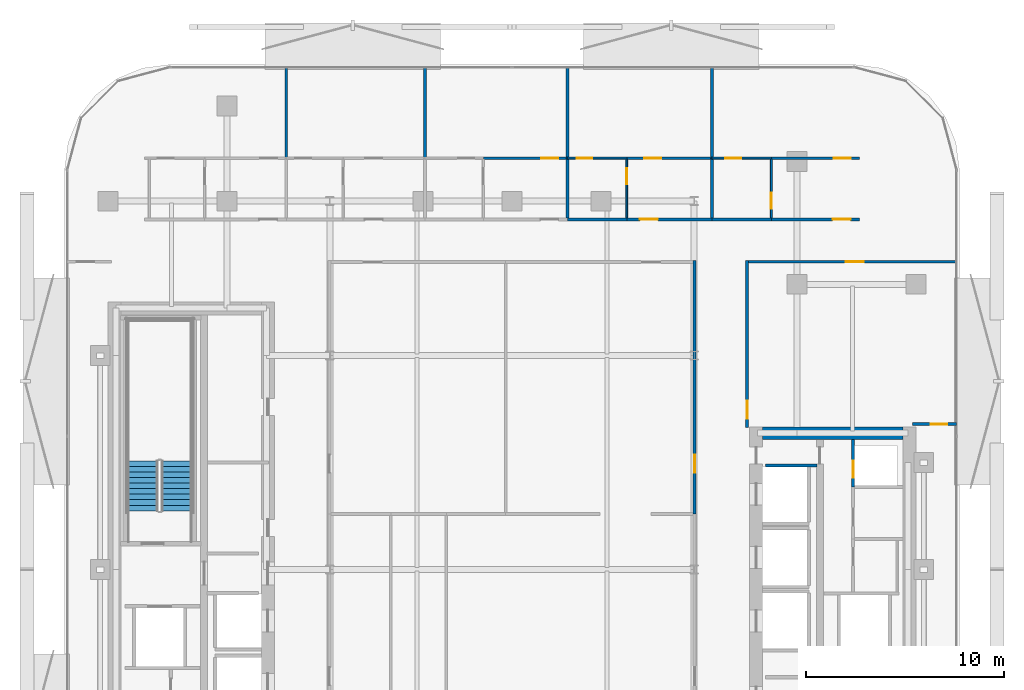
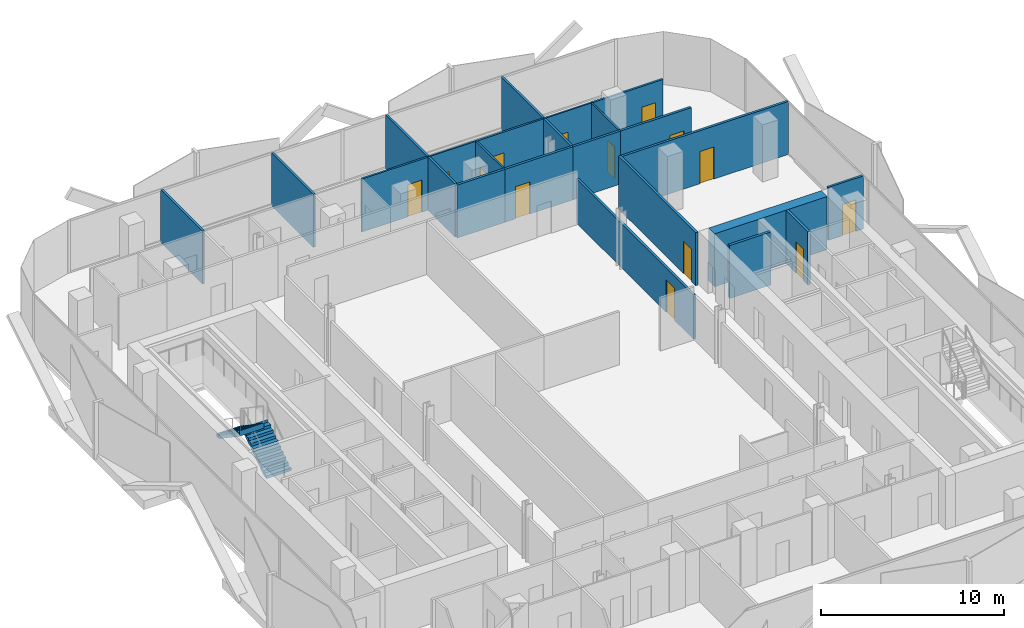
# One storey, part 7 of 17: 24 walls, 14 doors, 2 stair flights, 14 openings, 1 element without a shape of its own.
"""IFC4 building model written with IfcOpenShell, lengths in metres."""

from ifc_helpers import new_model, si_unit, direction, frame, frame_2d, origin, place, context, subcontext, project, spatial, polyline, rectangle, outline, extrude, material, layer, layer_set, type_object, element, fill, aggregate, save


model = new_model("IFC4")

# Units and contexts
model_context = context("Model", 3, precision=1e-05, world=origin(), true_north=direction((0.0, 1.0)))
body_context = subcontext(model_context, "Body", "Model", "MODEL_VIEW")
ifc_project = project(units=[si_unit("LENGTHUNIT", "METRE"), si_unit("AREAUNIT", "SQUARE_METRE"), si_unit("VOLUMEUNIT", "CUBIC_METRE"), si_unit("PLANEANGLEUNIT", "RADIAN"), si_unit("MASSUNIT", "GRAM", prefix="KILO")], contexts=[model_context])

# Site, building, storey
site_placement = place(None, origin())
site = spatial("IfcSite", under=ifc_project, at=site_placement, CompositionType="ELEMENT")
building_placement = place(site_placement, origin())
building = spatial("IfcBuilding", under=site, at=building_placement, Name="Khairoan Windgate Tower", CompositionType="ELEMENT")
storey_placement = place(building_placement, frame((0.0, 0.0, 191.60009765625)))
storey = spatial("IfcBuildingStorey", under=building, at=storey_placement, Name="L44", CompositionType="ELEMENT", Elevation=191.60009765625)

# Wall, opening, door
ifc_material_1 = material(Name="Moisture-Resistant Gypsum Partition", Category="gypsum")
ifc_layer_1 = layer(ifc_material_1, 0.10009765625, Name="Moisture-Resistant Gypsum Partition")
ifc_layer_set_1 = layer_set([ifc_layer_1], Name="Moisture-Resistant Gypsum Partition")
wall_type_1 = type_object("IfcWallType", Name="Bathroom Wet-Area Partition Wall", PredefinedType="PARTITIONING", material=ifc_layer_set_1)
wall_1_placement = place(storey_placement, frame((5.7958984375, 17.7548828125, 0.0), z_axis=(0.0, 0.0, 1.0), x_axis=(0.0, 1.0, 0.0)))
wall_1 = element("IfcWall", 1, at=wall_1_placement, inside=storey, type_object=wall_type_1, Name="L44 Interior Partition 069", PredefinedType="PARTITIONING", context=body_context, shape_type="SweptSolid", body=[
    extrude(rectangle(XDim=2.965087890625, YDim=0.10009765625, at=frame_2d((1.482421875, 0.0))), origin(), (0.0, 0.0, 1.0), 3.539794921875),
])
opening_1_placement = place(wall_1_placement, frame((1.705078125, 0.0, 0.0)))
opening_1 = element("IfcOpeningElement", 2, at=opening_1_placement, cuts=wall_1, Name="Opening ID-BTH", PredefinedType="OPENING", context=body_context, shape_type="SweptSolid", body=[
    extrude(rectangle(XDim=0.800048828125, YDim=2.10009765625, at=frame_2d((0.39990234375, 1.050048828125))), frame((0.0, 0.06005859375, 0.0), z_axis=(0.0, -1.0, 0.0), x_axis=(1.0, 0.0, 0.0)), (0.0, 0.0, 1.0), 0.1201171875),
])
ifc_material_2 = material(Name="Teak Veneer Timber Leaf", Category="wood")
door_type_1 = type_object("IfcDoorType", Name="Internal Bathroom Door ID-BTH 800x2100", OperationType="NOTDEFINED", PredefinedType="DOOR", material=ifc_material_2)
door_1_placement = place(opening_1_placement, origin())
door_1 = element("IfcDoor", 3, at=door_1_placement, inside=storey, type_object=door_type_1, Name="L44 L44-48-L44-49 Door", OperationType="SINGLE_SWING_LEFT", OverallHeight=2.10009765625, OverallWidth=0.800048828125, PredefinedType="DOOR", context=body_context, shape_type="SweptSolid", body=[
    extrude(rectangle(XDim=0.800048828125, YDim=2.10009765625, at=frame_2d((0.39990234375, 1.050048828125))), frame((0.0, 0.02490234375, 0.0), z_axis=(0.0, -1.0, 0.0), x_axis=(1.0, 0.0, 0.0)), (0.0, 0.0, 1.0), 0.050048828125),
])
fill(opening_1, door_1)

wall_2_placement = place(storey_placement, frame((2.800048828125, 20.77001953125, 0.0), z_axis=(0.0, 0.0, 1.0), x_axis=(1.0, 0.0, 0.0)))
wall_2 = element("IfcWall", 4, at=wall_2_placement, inside=storey, type_object=wall_type_1, Name="L44 Interior Partition 070", PredefinedType="PARTITIONING", context=body_context, shape_type="SweptSolid", body=[
    extrude(rectangle(XDim=2.995849609375, YDim=0.10009765625, at=frame_2d((1.498046875, 0.0))), origin(), (0.0, 0.0, 1.0), 3.539794921875),
])
opening_2_placement = place(wall_2_placement, frame((0.4599609375, 0.0, 0.0)))
opening_2 = element("IfcOpeningElement", 5, at=opening_2_placement, cuts=wall_2, Name="Opening ID-BTH", PredefinedType="OPENING", context=body_context, shape_type="SweptSolid", body=[
    extrude(rectangle(XDim=0.800048828125, YDim=2.10009765625, at=frame_2d((0.39990234375, 1.050048828125))), frame((0.0, 0.06005859375, 0.0), z_axis=(0.0, -1.0, 0.0), x_axis=(1.0, 0.0, 0.0)), (0.0, 0.0, 1.0), 0.1201171875),
])
door_2_placement = place(opening_2_placement, origin())
door_2 = element("IfcDoor", 6, at=door_2_placement, inside=storey, type_object=door_type_1, Name="L44 L44-48-L44-50 Door", OperationType="SINGLE_SWING_RIGHT", OverallHeight=2.10009765625, OverallWidth=0.800048828125, PredefinedType="DOOR", context=body_context, shape_type="SweptSolid", body=[
    extrude(rectangle(XDim=0.800048828125, YDim=2.10009765625, at=frame_2d((0.39990234375, 1.050048828125))), frame((0.0, 0.02490234375, 0.0), z_axis=(0.0, -1.0, 0.0), x_axis=(1.0, 0.0, 0.0)), (0.0, 0.0, 1.0), 0.050048828125),
])
fill(opening_2, door_2)

wall_3_placement = place(storey_placement, frame((13.095947265625, 17.7548828125, 0.0), z_axis=(0.0, 0.0, 1.0), x_axis=(0.0, 1.0, 0.0)))
wall_3 = element("IfcWall", 7, at=wall_3_placement, inside=storey, type_object=wall_type_1, Name="L44 Interior Partition 074", PredefinedType="PARTITIONING", context=body_context, shape_type="SweptSolid", body=[
    extrude(rectangle(XDim=2.965087890625, YDim=0.10009765625, at=frame_2d((1.482421875, 0.0))), origin(), (0.0, 0.0, 1.0), 3.539794921875),
])
opening_3_placement = place(wall_3_placement, frame((0.4599609375, 0.0, 0.0)))
opening_3 = element("IfcOpeningElement", 8, at=opening_3_placement, cuts=wall_3, Name="Opening ID-BTH", PredefinedType="OPENING", context=body_context, shape_type="SweptSolid", body=[
    extrude(rectangle(XDim=0.800048828125, YDim=2.10009765625, at=frame_2d((0.39990234375, 1.050048828125))), frame((0.0, 0.06005859375, 0.0), z_axis=(0.0, -1.0, 0.0), x_axis=(1.0, 0.0, 0.0)), (0.0, 0.0, 1.0), 0.1201171875),
])
door_3_placement = place(opening_3_placement, origin())
door_3 = element("IfcDoor", 9, at=door_3_placement, inside=storey, type_object=door_type_1, Name="L44 L44-51-L44-52 Door", OperationType="SINGLE_SWING_RIGHT", OverallHeight=2.10009765625, OverallWidth=0.800048828125, PredefinedType="DOOR", context=body_context, shape_type="SweptSolid", body=[
    extrude(rectangle(XDim=0.800048828125, YDim=2.10009765625, at=frame_2d((0.39990234375, 1.050048828125))), frame((0.0, 0.02490234375, 0.0), z_axis=(0.0, -1.0, 0.0), x_axis=(1.0, 0.0, 0.0)), (0.0, 0.0, 1.0), 0.050048828125),
])
fill(opening_3, door_3)

wall_4_placement = place(storey_placement, frame((10.10009765625, 20.77001953125, 0.0), z_axis=(0.0, 0.0, 1.0), x_axis=(1.0, 0.0, 0.0)))
wall_4 = element("IfcWall", 10, at=wall_4_placement, inside=storey, type_object=wall_type_1, Name="L44 Interior Partition 075", PredefinedType="PARTITIONING", context=body_context, shape_type="SweptSolid", body=[
    extrude(rectangle(XDim=2.995849609375, YDim=0.10009765625, at=frame_2d((1.498046875, 0.0))), origin(), (0.0, 0.0, 1.0), 3.539794921875),
])
opening_4_placement = place(wall_4_placement, frame((0.672607421875, 0.0, 0.0)))
opening_4 = element("IfcOpeningElement", 11, at=opening_4_placement, cuts=wall_4, Name="Opening ID-BTH", PredefinedType="OPENING", context=body_context, shape_type="SweptSolid", body=[
    extrude(rectangle(XDim=0.800048828125, YDim=2.10009765625, at=frame_2d((0.39990234375, 1.050048828125))), frame((0.0, 0.06005859375, 0.0), z_axis=(0.0, -1.0, 0.0), x_axis=(1.0, 0.0, 0.0)), (0.0, 0.0, 1.0), 0.1201171875),
])
door_4_placement = place(opening_4_placement, origin())
door_4 = element("IfcDoor", 12, at=door_4_placement, inside=storey, type_object=door_type_1, Name="L44 L44-51-L44-53 Door", OperationType="SINGLE_SWING_LEFT", OverallHeight=2.10009765625, OverallWidth=0.800048828125, PredefinedType="DOOR", context=body_context, shape_type="SweptSolid", body=[
    extrude(rectangle(XDim=0.800048828125, YDim=2.10009765625, at=frame_2d((0.39990234375, 1.050048828125))), frame((0.0, 0.02490234375, 0.0), z_axis=(0.0, -1.0, 0.0), x_axis=(1.0, 0.0, 0.0)), (0.0, 0.0, 1.0), 0.050048828125),
])
fill(opening_4, door_4)

# Walls
ifc_material_3 = material(Name="Concrete C40/50", Category="concrete")
ifc_layer_2 = layer(ifc_material_3, 0.159912109375, Name="Concrete C40/50")
ifc_layer_set_2 = layer_set([ifc_layer_2], Name="Concrete C40/50")
wall_type_2 = type_object("IfcWallType", Name="Core and Hoistway Enclosure Wall", PredefinedType="STANDARD", material=ifc_layer_set_2)
wall_5_placement = place(storey_placement, frame((12.800048828125, 5.25, 0.0), z_axis=(0.0, 0.0, 1.0), x_axis=(1.0, 0.0, 0.0)))
element("IfcWall", 13, at=wall_5_placement, inside=storey, type_object=wall_type_2, Name="L44 Core Shaft Wall SW-ESV-L44", PredefinedType="STANDARD", context=body_context, shape_type="SweptSolid", body=[
    extrude(rectangle(XDim=2.599853515625, YDim=0.159912109375, at=frame_2d((1.2998046875, 0.0))), origin(), (0.0, 0.0, 1.0), 3.539794921875),
])
ifc_material_4 = material(Name="Acoustic Fire-Rated Gypsum Partition", Category="gypsum")
ifc_layer_3 = layer(ifc_material_4, 0.139892578125, Name="Acoustic Fire-Rated Gypsum Partition")
ifc_layer_set_3 = layer_set([ifc_layer_3], Name="Acoustic Fire-Rated Gypsum Partition")
wall_type_3 = type_object("IfcWallType", Name="Inter-Tenancy Compartment Wall", PredefinedType="PARTITIONING", material=ifc_layer_set_3)
for number, where, z_axis, x_axis, name in (
    (14, (-11.39990234375, 20.77001953125, 0.0), (0.0, 0.0, 1.0), (0.0, 1.0, 0.0), "L44 Interior Partition 058"),
    (15, (-4.39990234375, 20.77001953125, 0.0), (0.0, 0.0, 1.0), (0.0, 1.0, 0.0), "L44 Interior Partition 063"),
):
    element("IfcWall", number, at=place(storey_placement, frame(where, z_axis=z_axis, x_axis=x_axis)), inside=storey, type_object=wall_type_3, Name=name, PredefinedType="PARTITIONING", context=body_context, shape_type="SweptSolid", body=[
        extrude(rectangle(XDim=4.5849609375, YDim=0.139892578125, at=frame_2d((2.29248046875, 0.0))), origin(), (0.0, 0.0, 1.0), 3.539794921875),
    ])
wall_6_placement = place(storey_placement, frame((2.800048828125, 17.7548828125, 0.0), z_axis=(0.0, 0.0, 1.0), x_axis=(0.0, 1.0, 0.0)))
element("IfcWall", 16, at=wall_6_placement, inside=storey, type_object=wall_type_3, Name="L44 Interior Partition 067", PredefinedType="PARTITIONING", context=body_context, shape_type="SweptSolid", body=[
    extrude(rectangle(XDim=3.01513671875, YDim=0.139892578125, at=frame_2d((1.507568359375, 0.0))), origin(), (0.0, 0.0, 1.0), 3.539794921875),
])
wall_7_placement = place(storey_placement, frame((2.800048828125, 20.77001953125, 0.0), z_axis=(0.0, 0.0, 1.0), x_axis=(0.0, 1.0, 0.0)))
element("IfcWall", 17, at=wall_7_placement, inside=storey, type_object=wall_type_3, Name="L44 Interior Partition 068", PredefinedType="PARTITIONING", context=body_context, shape_type="SweptSolid", body=[
    extrude(rectangle(XDim=4.5849609375, YDim=0.139892578125, at=frame_2d((2.29248046875, 0.0))), origin(), (0.0, 0.0, 1.0), 3.539794921875),
])
wall_8_placement = place(storey_placement, frame((10.10009765625, 17.7548828125, 0.0), z_axis=(0.0, 0.0, 1.0), x_axis=(0.0, 1.0, 0.0)))
element("IfcWall", 18, at=wall_8_placement, inside=storey, type_object=wall_type_3, Name="L44 Interior Partition 072", PredefinedType="PARTITIONING", context=body_context, shape_type="SweptSolid", body=[
    extrude(rectangle(XDim=3.01513671875, YDim=0.139892578125, at=frame_2d((1.507568359375, 0.0))), origin(), (0.0, 0.0, 1.0), 3.539794921875),
])
wall_9_placement = place(storey_placement, frame((10.10009765625, 20.77001953125, 0.0), z_axis=(0.0, 0.0, 1.0), x_axis=(0.0, 1.0, 0.0)))
element("IfcWall", 19, at=wall_9_placement, inside=storey, type_object=wall_type_3, Name="L44 Interior Partition 073", PredefinedType="PARTITIONING", context=body_context, shape_type="SweptSolid", body=[
    extrude(rectangle(XDim=4.5849609375, YDim=0.139892578125, at=frame_2d((2.29248046875, 0.0))), origin(), (0.0, 0.0, 1.0), 3.539794921875),
])

# Wall, opening, door
wall_10_placement = place(storey_placement, frame((20.239990234375, 7.340087890625, 0.0), z_axis=(0.0, 0.0, 1.0), x_axis=(1.0, 0.0, 0.0)))
wall_10 = element("IfcWall", 20, at=wall_10_placement, inside=storey, type_object=wall_type_3, Name="L44 Interior Partition 095", PredefinedType="PARTITIONING", context=body_context, shape_type="SweptSolid", body=[
    extrude(rectangle(XDim=2.215087890625, YDim=0.139892578125, at=frame_2d((1.107421875, 0.0))), origin(), (0.0, 0.0, 1.0), 3.539794921875),
])
opening_5_placement = place(wall_10_placement, frame((0.905029296875, 0.0, 0.0)))
opening_5 = element("IfcOpeningElement", 21, at=opening_5_placement, cuts=wall_10, Name="Opening FD-SRV", PredefinedType="OPENING", context=body_context, shape_type="SweptSolid", body=[
    extrude(rectangle(XDim=0.85009765625, YDim=2.10009765625, at=frame_2d((0.425048828125, 1.050048828125))), frame((0.0, 0.079833984375, 0.0), z_axis=(0.0, -1.0, 0.0), x_axis=(1.0, 0.0, 0.0)), (0.0, 0.0, 1.0), 0.159912109375),
])
ifc_material_5 = material(Name="Steel S355", Category="steel")
door_type_2 = type_object("IfcDoorType", Name="Core Service and Riser Fire Door FD-SRV 850x2100", OperationType="NOTDEFINED", PredefinedType="DOOR", material=ifc_material_5)
door_5_placement = place(opening_5_placement, origin())
door_5 = element("IfcDoor", 22, at=door_5_placement, inside=storey, type_object=door_type_2, Name="L44 L44-66-L44-68 Door", OperationType="SINGLE_SWING_LEFT", OverallHeight=2.10009765625, OverallWidth=0.85009765625, PredefinedType="DOOR", context=body_context, shape_type="SweptSolid", body=[
    extrude(rectangle(XDim=0.85009765625, YDim=2.10009765625, at=frame_2d((0.425048828125, 1.050048828125))), frame((0.0, 0.02490234375, 0.0), z_axis=(0.0, -1.0, 0.0), x_axis=(1.0, 0.0, 0.0)), (0.0, 0.0, 1.0), 0.050048828125),
])
fill(opening_5, door_5)

ifc_material_6 = material(Name="Gypsum Stud Partition", Category="gypsum")
ifc_layer_4 = layer(ifc_material_6, 0.1201171875, Name="Gypsum Stud Partition")
ifc_layer_set_4 = layer_set([ifc_layer_4], Name="Gypsum Stud Partition")
wall_type_4 = type_object("IfcWallType", Name="Internal Room Partition Wall", PredefinedType="PARTITIONING", material=ifc_layer_set_4)
wall_11_placement = place(storey_placement, frame((-1.444091796875, 20.77001953125, 0.0), z_axis=(0.0, 0.0, 1.0), x_axis=(1.0, 0.0, 0.0)))
wall_11 = element("IfcWall", 23, at=wall_11_placement, inside=storey, type_object=wall_type_4, Name="L44 Interior Partition 066", PredefinedType="PARTITIONING", context=body_context, shape_type="SweptSolid", body=[
    extrude(rectangle(XDim=4.244140625, YDim=0.1201171875, at=frame_2d((2.1220703125, 0.0))), origin(), (0.0, 0.0, 1.0), 3.539794921875),
])
opening_6_placement = place(wall_11_placement, frame((2.924072265625, 0.0, 0.0)))
opening_6 = element("IfcOpeningElement", 24, at=opening_6_placement, cuts=wall_11, Name="Opening ID-RM", PredefinedType="OPENING", context=body_context, shape_type="SweptSolid", body=[
    extrude(rectangle(XDim=0.860107421875, YDim=2.14990234375, at=frame_2d((0.43017578125, 1.074951171875))), frame((0.0, 0.070068359375, 0.0), z_axis=(0.0, -1.0, 0.0), x_axis=(1.0, 0.0, 0.0)), (0.0, 0.0, 1.0), 0.14013671875),
])
ifc_material_7 = material(Name="Teak Veneer Timber Leaf", Category="wood")
door_type_3 = type_object("IfcDoorType", Name="Internal Bedroom and Office Door ID-RM 860x2150", OperationType="NOTDEFINED", PredefinedType="DOOR", material=ifc_material_7)
door_6_placement = place(opening_6_placement, origin())
door_6 = element("IfcDoor", 25, at=door_6_placement, inside=storey, type_object=door_type_3, Name="L44 L44-46-L44-47 Door", OperationType="SINGLE_SWING_RIGHT", OverallHeight=2.14990234375, OverallWidth=0.860107421875, PredefinedType="DOOR", context=body_context, shape_type="SweptSolid", body=[
    extrude(rectangle(XDim=0.860107421875, YDim=2.14990234375, at=frame_2d((0.43017578125, 1.074951171875))), frame((0.0, 0.02490234375, 0.0), z_axis=(0.0, -1.0, 0.0), x_axis=(1.0, 0.0, 0.0)), (0.0, 0.0, 1.0), 0.050048828125),
])
fill(opening_6, door_6)

wall_12_placement = place(storey_placement, frame((5.7958984375, 20.77001953125, 0.0), z_axis=(0.0, 0.0, 1.0), x_axis=(1.0, 0.0, 0.0)))
wall_12 = element("IfcWall", 26, at=wall_12_placement, inside=storey, type_object=wall_type_4, Name="L44 Interior Partition 071", PredefinedType="PARTITIONING", context=body_context, shape_type="SweptSolid", body=[
    extrude(rectangle(XDim=4.30419921875, YDim=0.1201171875, at=frame_2d((2.152099609375, 0.0))), origin(), (0.0, 0.0, 1.0), 3.539794921875),
])
opening_7_placement = place(wall_12_placement, frame((0.880615234375, 0.0, 0.0)))
opening_7 = element("IfcOpeningElement", 27, at=opening_7_placement, cuts=wall_12, Name="Opening ID-RM", PredefinedType="OPENING", context=body_context, shape_type="SweptSolid", body=[
    extrude(rectangle(XDim=0.860107421875, YDim=2.14990234375, at=frame_2d((0.43017578125, 1.074951171875))), frame((0.0, 0.070068359375, 0.0), z_axis=(0.0, -1.0, 0.0), x_axis=(1.0, 0.0, 0.0)), (0.0, 0.0, 1.0), 0.14013671875),
])
door_7_placement = place(opening_7_placement, origin())
door_7 = element("IfcDoor", 28, at=door_7_placement, inside=storey, type_object=door_type_3, Name="L44 L44-49-L44-50 Door", OperationType="SINGLE_SWING_LEFT", OverallHeight=2.14990234375, OverallWidth=0.860107421875, PredefinedType="DOOR", context=body_context, shape_type="SweptSolid", body=[
    extrude(rectangle(XDim=0.860107421875, YDim=2.14990234375, at=frame_2d((0.43017578125, 1.074951171875))), frame((0.0, 0.02490234375, 0.0), z_axis=(0.0, -1.0, 0.0), x_axis=(1.0, 0.0, 0.0)), (0.0, 0.0, 1.0), 0.050048828125),
])
fill(opening_7, door_7)

wall_13_placement = place(storey_placement, frame((13.095947265625, 20.77001953125, 0.0), z_axis=(0.0, 0.0, 1.0), x_axis=(1.0, 0.0, 0.0)))
wall_13 = element("IfcWall", 29, at=wall_13_placement, inside=storey, type_object=wall_type_4, Name="L44 Interior Partition 076", PredefinedType="PARTITIONING", context=body_context, shape_type="SweptSolid", body=[
    extrude(rectangle(XDim=4.464111328125, YDim=0.1201171875, at=frame_2d((2.23193359375, 0.0))), origin(), (0.0, 0.0, 1.0), 3.539794921875),
])
opening_8_placement = place(wall_13_placement, frame((3.14404296875, 0.0, 0.0)))
opening_8 = element("IfcOpeningElement", 30, at=opening_8_placement, cuts=wall_13, Name="Opening ID-RM", PredefinedType="OPENING", context=body_context, shape_type="SweptSolid", body=[
    extrude(rectangle(XDim=0.860107421875, YDim=2.14990234375, at=frame_2d((0.43017578125, 1.074951171875))), frame((0.0, 0.070068359375, 0.0), z_axis=(0.0, -1.0, 0.0), x_axis=(1.0, 0.0, 0.0)), (0.0, 0.0, 1.0), 0.14013671875),
])
door_8_placement = place(opening_8_placement, origin())
door_8 = element("IfcDoor", 31, at=door_8_placement, inside=storey, type_object=door_type_3, Name="L44 L44-52-L44-53 Door", OperationType="SINGLE_SWING_RIGHT", OverallHeight=2.14990234375, OverallWidth=0.860107421875, PredefinedType="DOOR", context=body_context, shape_type="SweptSolid", body=[
    extrude(rectangle(XDim=0.860107421875, YDim=2.14990234375, at=frame_2d((0.43017578125, 1.074951171875))), frame((0.0, 0.02490234375, 0.0), z_axis=(0.0, -1.0, 0.0), x_axis=(1.0, 0.0, 0.0)), (0.0, 0.0, 1.0), 0.050048828125),
])
fill(opening_8, door_8)

ifc_material_8 = material(Name="Concrete C40/50", Category="concrete")
ifc_layer_5 = layer(ifc_material_8, 0.159912109375, Name="Concrete C40/50")
ifc_layer_set_5 = layer_set([ifc_layer_5], Name="Concrete C40/50")
wall_type_5 = type_object("IfcWallType", Name="Plant and Refuge Compartment Wall", PredefinedType="PARTITIONING", material=ifc_layer_set_5)
wall_14_placement = place(storey_placement, frame((17.22998046875, 4.169921875, 0.0), z_axis=(0.0, 0.0, 1.0), x_axis=(0.0, 1.0, 0.0)))
wall_14 = element("IfcWall", 32, at=wall_14_placement, inside=storey, type_object=wall_type_5, Name="L44 Interior Partition 005", PredefinedType="PARTITIONING", context=body_context, shape_type="SweptSolid", body=[
    extrude(rectangle(XDim=2.380126953125, YDim=0.159912109375, at=frame_2d((1.18994140625, 0.0))), origin(), (0.0, 0.0, 1.0), 3.539794921875),
])
opening_9_placement = place(wall_14_placement, frame((0.4599609375, 0.0, 0.0)))
opening_9 = element("IfcOpeningElement", 33, at=opening_9_placement, cuts=wall_14, Name="Opening FD-SRV", PredefinedType="OPENING", context=body_context, shape_type="SweptSolid", body=[
    extrude(rectangle(XDim=0.85009765625, YDim=2.10009765625, at=frame_2d((0.425048828125, 1.050048828125))), frame((0.0, 0.08984375, 0.0), z_axis=(0.0, -1.0, 0.0), x_axis=(1.0, 0.0, 0.0)), (0.0, 0.0, 1.0), 0.179931640625),
])
door_9_placement = place(opening_9_placement, origin())
door_9 = element("IfcDoor", 34, at=door_9_placement, inside=storey, type_object=door_type_2, Name="L44 L44-17-L44-18 Door", OperationType="SINGLE_SWING_LEFT", OverallHeight=2.10009765625, OverallWidth=0.85009765625, PredefinedType="DOOR", context=body_context, shape_type="SweptSolid", body=[
    extrude(rectangle(XDim=0.85009765625, YDim=2.10009765625, at=frame_2d((0.425048828125, 1.050048828125))), frame((0.0, 0.02490234375, 0.0), z_axis=(0.0, -1.0, 0.0), x_axis=(1.0, 0.0, 0.0)), (0.0, 0.0, 1.0), 0.050048828125),
])
fill(opening_9, door_9)

ifc_material_9 = material(Name="Acoustic Fire-Rated Gypsum Partition", Category="gypsum")
ifc_layer_6 = layer(ifc_material_9, 0.14990234375, Name="Acoustic Fire-Rated Gypsum Partition")
ifc_layer_set_6 = layer_set([ifc_layer_6], Name="Acoustic Fire-Rated Gypsum Partition")
wall_type_6 = type_object("IfcWallType", Name="Rated Corridor Partition Wall", PredefinedType="PARTITIONING", material=ifc_layer_set_6)
wall_15_placement = place(storey_placement, frame((9.219970703125, 2.800048828125, 0.0), z_axis=(0.0, 0.0, 1.0), x_axis=(0.0, 1.0, 0.0)))
wall_15 = element("IfcWall", 35, at=wall_15_placement, inside=storey, type_object=wall_type_6, Name="L44 Interior Partition 014", PredefinedType="PARTITIONING", context=body_context, shape_type="SweptSolid", body=[
    extrude(rectangle(XDim=12.794921875, YDim=0.14990234375, at=frame_2d((6.3974609375, 0.0))), origin(), (0.0, 0.0, 1.0), 2.951904296875),
])
opening_10_placement = place(wall_15_placement, frame((2.0859375, 0.0, 0.0)))
opening_10 = element("IfcOpeningElement", 36, at=opening_10_placement, cuts=wall_15, Name="Opening FD-ENT", PredefinedType="OPENING", context=body_context, shape_type="SweptSolid", body=[
    extrude(rectangle(XDim=0.89990234375, YDim=2.14990234375, at=frame_2d((0.449951171875, 1.074951171875))), frame((0.0, 0.0849609375, 0.0), z_axis=(0.0, -1.0, 0.0), x_axis=(1.0, 0.0, 0.0)), (0.0, 0.0, 1.0), 0.169921875),
])
ifc_material_10 = material(Name="Timber Fire-Rated Core", Category="wood")
door_type_4 = type_object("IfcDoorType", Name="Unit and Office Fire Entrance Door FD-ENT 900x2150", OperationType="NOTDEFINED", PredefinedType="DOOR", material=ifc_material_10)
door_10_placement = place(opening_10_placement, origin())
door_10 = element("IfcDoor", 37, at=door_10_placement, inside=storey, type_object=door_type_4, Name="L44 L44-29-L44-38 Door", OperationType="SINGLE_SWING_LEFT", OverallHeight=2.14990234375, OverallWidth=0.89990234375, PredefinedType="DOOR", context=body_context, shape_type="SweptSolid", body=[
    extrude(rectangle(XDim=0.89990234375, YDim=2.14990234375, at=frame_2d((0.449951171875, 1.074951171875))), frame((0.0, 0.02490234375, 0.0), z_axis=(0.0, -1.0, 0.0), x_axis=(1.0, 0.0, 0.0)), (0.0, 0.0, 1.0), 0.050048828125),
])
fill(opening_10, door_10)

wall_16_placement = place(storey_placement, frame((11.8798828125, 7.159912109375, 0.0), z_axis=(0.0, 0.0, 1.0), x_axis=(0.0, 1.0, 0.0)))
wall_16 = element("IfcWall", 38, at=wall_16_placement, inside=storey, type_object=wall_type_6, Name="L44 Interior Partition 015", PredefinedType="PARTITIONING", context=body_context, shape_type="SweptSolid", body=[
    extrude(rectangle(XDim=8.455078125, YDim=0.14990234375, at=frame_2d((4.2275390625, 0.0))), origin(), (0.0, 0.0, 1.0), 3.539794921875),
])
opening_11_placement = place(wall_16_placement, frame((0.4599609375, 0.0, 0.0)))
opening_11 = element("IfcOpeningElement", 39, at=opening_11_placement, cuts=wall_16, Name="Opening FD-ENT", PredefinedType="OPENING", context=body_context, shape_type="SweptSolid", body=[
    extrude(rectangle(XDim=0.89990234375, YDim=2.14990234375, at=frame_2d((0.449951171875, 1.074951171875))), frame((0.0, 0.0849609375, 0.0), z_axis=(0.0, -1.0, 0.0), x_axis=(1.0, 0.0, 0.0)), (0.0, 0.0, 1.0), 0.169921875),
])
door_11_placement = place(opening_11_placement, origin())
door_11 = element("IfcDoor", 40, at=door_11_placement, inside=storey, type_object=door_type_4, Name="L44 L44-29-L44-66 Door", OperationType="SINGLE_SWING_RIGHT", OverallHeight=2.14990234375, OverallWidth=0.89990234375, PredefinedType="DOOR", context=body_context, shape_type="SweptSolid", body=[
    extrude(rectangle(XDim=0.89990234375, YDim=2.14990234375, at=frame_2d((0.449951171875, 1.074951171875))), frame((0.0, 0.02490234375, 0.0), z_axis=(0.0, -1.0, 0.0), x_axis=(1.0, 0.0, 0.0)), (0.0, 0.0, 1.0), 0.050048828125),
])
fill(opening_11, door_11)

# Wall
wall_17_placement = place(storey_placement, frame((2.800048828125, 17.679931640625, 0.0), z_axis=(0.0, 0.0, 1.0), x_axis=(1.0, 0.0, 0.0)))
element("IfcWall", 41, at=wall_17_placement, inside=storey, type_object=wall_type_6, Name="L44 Interior Partition 024", PredefinedType="PARTITIONING", context=body_context, shape_type="SweptSolid", body=[
    extrude(rectangle(XDim=2.995849609375, YDim=0.14990234375, at=frame_2d((1.498046875, 0.0))), origin(), (0.0, 0.0, 1.0), 3.539794921875),
])

# Wall, opening, door
wall_18_placement = place(storey_placement, frame((5.7958984375, 17.679931640625, 0.0), z_axis=(0.0, 0.0, 1.0), x_axis=(1.0, 0.0, 0.0)))
wall_18 = element("IfcWall", 42, at=wall_18_placement, inside=storey, type_object=wall_type_6, Name="L44 Interior Partition 025", PredefinedType="PARTITIONING", context=body_context, shape_type="SweptSolid", body=[
    extrude(rectangle(XDim=4.30419921875, YDim=0.14990234375, at=frame_2d((2.152099609375, 0.0))), origin(), (0.0, 0.0, 1.0), 3.539794921875),
])
opening_12_placement = place(wall_18_placement, frame((0.6669921875, 0.0, 0.0)))
opening_12 = element("IfcOpeningElement", 43, at=opening_12_placement, cuts=wall_18, Name="Opening FD-ENT", PredefinedType="OPENING", context=body_context, shape_type="SweptSolid", body=[
    extrude(rectangle(XDim=0.89990234375, YDim=2.14990234375, at=frame_2d((0.449951171875, 1.074951171875))), frame((0.0, 0.0849609375, 0.0), z_axis=(0.0, -1.0, 0.0), x_axis=(1.0, 0.0, 0.0)), (0.0, 0.0, 1.0), 0.169921875),
])
door_12_placement = place(opening_12_placement, origin())
door_12 = element("IfcDoor", 44, at=door_12_placement, inside=storey, type_object=door_type_4, Name="L44 L44-30-L44-49 Door", OperationType="SINGLE_SWING_RIGHT", OverallHeight=2.14990234375, OverallWidth=0.89990234375, PredefinedType="DOOR", context=body_context, shape_type="SweptSolid", body=[
    extrude(rectangle(XDim=0.89990234375, YDim=2.14990234375, at=frame_2d((0.449951171875, 1.074951171875))), frame((0.0, 0.02490234375, 0.0), z_axis=(0.0, -1.0, 0.0), x_axis=(1.0, 0.0, 0.0)), (0.0, 0.0, 1.0), 0.050048828125),
])
fill(opening_12, door_12)

# Wall
wall_19_placement = place(storey_placement, frame((10.10009765625, 17.679931640625, 0.0), z_axis=(0.0, 0.0, 1.0), x_axis=(1.0, 0.0, 0.0)))
element("IfcWall", 45, at=wall_19_placement, inside=storey, type_object=wall_type_6, Name="L44 Interior Partition 026", PredefinedType="PARTITIONING", context=body_context, shape_type="SweptSolid", body=[
    extrude(rectangle(XDim=2.995849609375, YDim=0.14990234375, at=frame_2d((1.498046875, 0.0))), origin(), (0.0, 0.0, 1.0), 3.539794921875),
])

# Wall, opening, door
wall_20_placement = place(storey_placement, frame((13.095947265625, 17.679931640625, 0.0), z_axis=(0.0, 0.0, 1.0), x_axis=(1.0, 0.0, 0.0)))
wall_20 = element("IfcWall", 46, at=wall_20_placement, inside=storey, type_object=wall_type_6, Name="L44 Interior Partition 027", PredefinedType="PARTITIONING", context=body_context, shape_type="SweptSolid", body=[
    extrude(rectangle(XDim=4.464111328125, YDim=0.14990234375, at=frame_2d((2.23193359375, 0.0))), origin(), (0.0, 0.0, 1.0), 3.539794921875),
])
opening_13_placement = place(wall_20_placement, frame((3.10400390625, 0.0, 0.0)))
opening_13 = element("IfcOpeningElement", 47, at=opening_13_placement, cuts=wall_20, Name="Opening FD-ENT", PredefinedType="OPENING", context=body_context, shape_type="SweptSolid", body=[
    extrude(rectangle(XDim=0.89990234375, YDim=2.14990234375, at=frame_2d((0.449951171875, 1.074951171875))), frame((0.0, 0.0849609375, 0.0), z_axis=(0.0, -1.0, 0.0), x_axis=(1.0, 0.0, 0.0)), (0.0, 0.0, 1.0), 0.169921875),
])
door_13_placement = place(opening_13_placement, origin())
door_13 = element("IfcDoor", 48, at=door_13_placement, inside=storey, type_object=door_type_4, Name="L44 L44-30-L44-52 Door", OperationType="SINGLE_SWING_LEFT", OverallHeight=2.14990234375, OverallWidth=0.89990234375, PredefinedType="DOOR", context=body_context, shape_type="SweptSolid", body=[
    extrude(rectangle(XDim=0.89990234375, YDim=2.14990234375, at=frame_2d((0.449951171875, 1.074951171875))), frame((0.0, 0.02490234375, 0.0), z_axis=(0.0, -1.0, 0.0), x_axis=(1.0, 0.0, 0.0)), (0.0, 0.0, 1.0), 0.050048828125),
])
fill(opening_13, door_13)

wall_21_placement = place(storey_placement, frame((11.955078125, 15.5400390625, 0.0), z_axis=(0.0, 0.0, 1.0), x_axis=(1.0, 0.0, 0.0)))
wall_21 = element("IfcWall", 49, at=wall_21_placement, inside=storey, type_object=wall_type_6, Name="L44 Interior Partition 028", PredefinedType="PARTITIONING", context=body_context, shape_type="SweptSolid", body=[
    extrude(rectangle(XDim=10.5, YDim=0.14990234375, at=frame_2d((5.25, 0.0))), origin(), (0.0, 0.0, 1.0), 3.539794921875),
])
opening_14_placement = place(wall_21_placement, frame((4.90087890625, 0.0, 0.0)))
opening_14 = element("IfcOpeningElement", 50, at=opening_14_placement, cuts=wall_21, Name="Opening FD-ENT", PredefinedType="OPENING", context=body_context, shape_type="SweptSolid", body=[
    extrude(rectangle(XDim=0.89990234375, YDim=2.14990234375, at=frame_2d((0.449951171875, 1.074951171875))), frame((0.0, 0.0849609375, 0.0), z_axis=(0.0, -1.0, 0.0), x_axis=(1.0, 0.0, 0.0)), (0.0, 0.0, 1.0), 0.169921875),
])
door_14_placement = place(opening_14_placement, origin())
door_14 = element("IfcDoor", 51, at=door_14_placement, inside=storey, type_object=door_type_4, Name="L44 L44-30-L44-66 Door", OperationType="SINGLE_SWING_RIGHT", OverallHeight=2.14990234375, OverallWidth=0.89990234375, PredefinedType="DOOR", context=body_context, shape_type="SweptSolid", body=[
    extrude(rectangle(XDim=0.89990234375, YDim=2.14990234375, at=frame_2d((0.449951171875, 1.074951171875))), frame((0.0, 0.02490234375, 0.0), z_axis=(0.0, -1.0, 0.0), x_axis=(1.0, 0.0, 0.0)), (0.0, 0.0, 1.0), 0.050048828125),
])
fill(opening_14, door_14)

# Wall
ifc_material_11 = material(Name="Concrete C60/75", Category="concrete")
ifc_layer_7 = layer(ifc_material_11, 0.64990234375, Name="Concrete C60/75")
ifc_layer_set_7 = layer_set([ifc_layer_7], Name="Concrete C60/75")
wall_type_7 = type_object("IfcWallType", Name="Shear Wall CW-E2 650mm", PredefinedType="SHEAR", material=ifc_layer_set_7)
wall_22_placement = place(storey_placement, frame((12.64990234375, 6.875, 0.0), z_axis=(0.0, 0.0, 1.0), x_axis=(1.0, 0.0, 0.0)))
element("IfcWall", 52, at=wall_22_placement, inside=storey, type_object=wall_type_7, Name="E Core North Shear Wall L44", PredefinedType="SHEAR", context=body_context, shape_type="SweptSolid", body=[
    extrude(rectangle(XDim=7.10009765625, YDim=0.64990234375, at=frame_2d((3.550048828125, 0.0))), origin(), (0.0, 0.0, 1.0), 3.539794921875),
])

# Stair, stair flights
ifc_material_12 = material(Name="Concrete C40/50", Category="concrete")
stair_type = type_object("IfcStairType", Name="Tower Core Dog-Leg Stair ST-T1 1560mm", PredefinedType="HALF_TURN_STAIR", material=ifc_material_12)
stair_placement = place(storey_placement, origin())
stair = element("IfcStair", 53, at=stair_placement, inside=storey, type_object=stair_type, Name="L44 Stair ST2", PredefinedType="HALF_TURN_STAIR")
ifc_material_13 = material(Name="Concrete C40/50", Category="concrete")
ifc_layer_8 = layer(ifc_material_13, 0.14990234375, Name="Concrete C40/50")
ifc_layer_set_8 = layer_set([ifc_layer_8], Name="Concrete C40/50")
stair_flight_type = type_object("IfcStairFlightType", Name="Tower Core Stair Flight STF-1560", PredefinedType="STRAIGHT", material=ifc_layer_set_8)
stair_flight_1_placement = place(storey_placement, frame((-16.929931640625, 2.9599609375, 0.0), z_axis=(0.0, 0.0, 1.0), x_axis=(0.0, 1.0, 0.0)))
stair_flight_1 = element("IfcStairFlight", 54, at=stair_flight_1_placement, type_object=stair_flight_type, Name="ST2 flight 1", NumberOfRisers=10, NumberOfTreads=9, PredefinedType="STRAIGHT", RiserHeight=0.19, TreadLength=0.28, context=body_context, shape_type="SweptSolid", body=[
    extrude(outline(polyline([(-0.00390625, 0.0), (-0.00390625, 0.18994140625), (0.0, 0.18994140625), (0.280029296875, 0.18994140625), (0.280029296875, 0.3798828125), (0.56005859375, 0.3798828125), (0.56005859375, 0.570068359375), (0.840087890625, 0.570068359375), (0.840087890625, 0.760009765625), (1.1201171875, 0.760009765625), (1.1201171875, 0.949951171875), (1.39990234375, 0.949951171875), (1.39990234375, 1.139892578125), (1.679931640625, 1.139892578125), (1.679931640625, 1.330078125), (1.9599609375, 1.330078125), (1.9599609375, 1.52001953125), (2.239990234375, 1.52001953125), (2.239990234375, 1.7099609375), (2.52001953125, 1.7099609375), (2.52001953125, 1.89990234375), (2.52392578125, 1.89990234375), (2.52392578125, 1.52880859375), (0.266845703125, 0.0), (-0.00390625, 0.0)])), frame((0.0, 0.780029296875, 0.0), z_axis=(0.0, -1.0, 0.0), x_axis=(1.0, 0.0, 0.0)), (0.0, 0.0, 1.0), 1.56005859375),
])
stair_flight_2_placement = place(storey_placement, frame((-18.639892578125, 5.47998046875, 1.89990234375), z_axis=(0.0, 0.0, 1.0), x_axis=(0.0, -1.0, 0.0)))
stair_flight_2 = element("IfcStairFlight", 55, at=stair_flight_2_placement, type_object=stair_flight_type, Name="ST2 flight 2", NumberOfRisers=10, NumberOfTreads=9, PredefinedType="STRAIGHT", RiserHeight=0.19, TreadLength=0.28, context=body_context, shape_type="SweptSolid", body=[
    extrude(outline(polyline([(-0.00390625, 0.0), (-0.00390625, 0.18994140625), (0.0, 0.18994140625), (0.280029296875, 0.18994140625), (0.280029296875, 0.3798828125), (0.56005859375, 0.3798828125), (0.56005859375, 0.570068359375), (0.840087890625, 0.570068359375), (0.840087890625, 0.760009765625), (1.1201171875, 0.760009765625), (1.1201171875, 0.949951171875), (1.39990234375, 0.949951171875), (1.39990234375, 1.139892578125), (1.679931640625, 1.139892578125), (1.679931640625, 1.330078125), (1.9599609375, 1.330078125), (1.9599609375, 1.52001953125), (2.239990234375, 1.52001953125), (2.239990234375, 1.7099609375), (2.52001953125, 1.7099609375), (2.52001953125, 1.89990234375), (2.52392578125, 1.89990234375), (2.52392578125, 1.52880859375), (0.266845703125, 0.0), (-0.00390625, 0.0)])), frame((0.0, 0.780029296875, 0.0), z_axis=(0.0, -1.0, 0.0), x_axis=(1.0, 0.0, 0.0)), (0.0, 0.0, 1.0), 1.56005859375),
])
aggregate(stair, [stair_flight_1, stair_flight_2])

save(model, "model.ifc")
